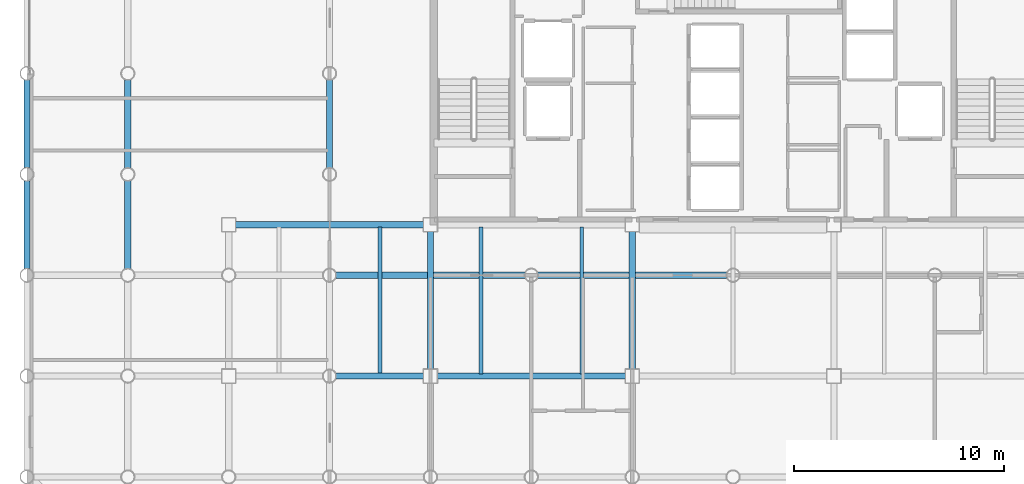
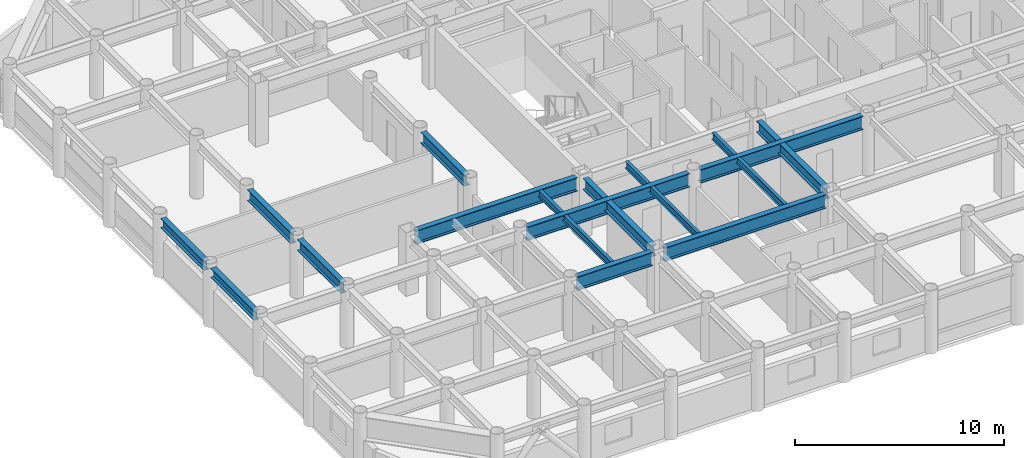
# One storey, part 3 of 20: 15 beams.
"""IFC4 building model written with IfcOpenShell, lengths in metres."""

from ifc_helpers import new_model, si_unit, direction, frame, origin, origin_2d, place, context, subcontext, project, spatial, i_section, extrude, material, material_profile, profile_set, type_object, element, save


model = new_model("IFC4")

# Units and contexts
model_context = context("Model", 3, precision=1e-05, world=origin(), true_north=direction((0.0, 1.0)))
body_context = subcontext(model_context, "Body", "Model", "MODEL_VIEW")
ifc_project = project(units=[si_unit("LENGTHUNIT", "METRE"), si_unit("AREAUNIT", "SQUARE_METRE"), si_unit("VOLUMEUNIT", "CUBIC_METRE"), si_unit("PLANEANGLEUNIT", "RADIAN"), si_unit("MASSUNIT", "GRAM", prefix="KILO")], contexts=[model_context])

# Site, building, storey
site_placement = place(None, origin())
site = spatial("IfcSite", under=ifc_project, at=site_placement, CompositionType="ELEMENT")
building_placement = place(site_placement, origin())
building = spatial("IfcBuilding", under=site, at=building_placement, Name="Kallvorn Hotel Tower", CompositionType="ELEMENT")
storey_placement = place(building_placement, frame((0.0, 0.0, 176.60009765625)))
storey = spatial("IfcBuildingStorey", under=building, at=storey_placement, Name="L44", CompositionType="ELEMENT", Elevation=176.60009765625)

# Beams
ifc_material_1 = material(Name="Structural steel S355JR", Category="steel")
ifc_material_profile_1 = material_profile(ifc_material_1, i_section(OverallWidth=0.300048828125, OverallDepth=0.550048828125, WebThickness=0.014892578125, FlangeThickness=0.029052734375, at=origin_2d()), Name="HE 550 B")
ifc_profile_set_1 = profile_set([ifc_material_profile_1], Name="Structural steel S355JR")
beam_type_1 = type_object("IfcBeamType", Name="BM_HE550B", PredefinedType="SPANDREL", material=ifc_profile_set_1)
for number, where, z_axis, x_axis, name in (
    (1, (-33.60009765625, -9.280029296875, 3.204833984375), (0.0, 1.0, 0.0), (-1.0, 0.0, 0.0), "L45 Perimeter Spandrel 176"),
    (2, (-33.60009765625, -4.47998046875, 3.204833984375), (0.0, 1.0, 0.0), (-1.0, 0.0, 0.0), "L45 Perimeter Spandrel 177"),
):
    element("IfcBeam", number, at=place(storey_placement, frame(where, z_axis=z_axis, x_axis=x_axis)), inside=storey, type_object=beam_type_1, Name=name, PredefinedType="SPANDREL", context=body_context, shape_type="SweptSolid", body=[
        extrude(i_section(OverallWidth=0.300048828125, OverallDepth=0.550048828125, WebThickness=0.014892578125, FlangeThickness=0.029052734375, at=origin_2d()), origin(), (0.0, 0.0, 1.0), 4.159912109375),
    ])
ifc_material_2 = material(Name="Structural steel S355JR", Category="steel")
ifc_material_profile_2 = material_profile(ifc_material_2, i_section(OverallWidth=0.300048828125, OverallDepth=0.64990234375, WebThickness=0.01611328125, FlangeThickness=0.031005859375, at=origin_2d()), Name="HE 650 B")
ifc_profile_set_2 = profile_set([ifc_material_profile_2], Name="Structural steel S355JR")
beam_type_2 = type_object("IfcBeamType", Name="BM_HE650B", PredefinedType="BEAM", material=ifc_profile_set_2)
beam_1_placement = place(storey_placement, frame((-28.800048828125, -9.294921875, 3.15478515625), z_axis=(0.0, 1.0, 0.0), x_axis=(-1.0, 0.0, 0.0)))
element("IfcBeam", 3, at=beam_1_placement, inside=storey, type_object=beam_type_2, Name="L45 Primary Y-Girder 76", PredefinedType="BEAM", context=body_context, shape_type="SweptSolid", body=[
    extrude(i_section(OverallWidth=0.300048828125, OverallDepth=0.64990234375, WebThickness=0.01611328125, FlangeThickness=0.031005859375, at=origin_2d()), origin(), (0.0, 0.0, 1.0), 4.18994140625),
])
for number, where, z_axis, x_axis, name in (
    (4, (-28.800048828125, -4.4951171875, 3.15478515625), (0.0, 1.0, 0.0), (-1.0, 0.0, 0.0), "L45 Primary Y-Girder 77"),
    (5, (-19.199951171875, -4.4951171875, 3.15478515625), (0.0, 1.0, 0.0), (-1.0, 0.0, 0.0), "L45 Primary Y-Girder 93"),
):
    element("IfcBeam", number, at=place(storey_placement, frame(where, z_axis=z_axis, x_axis=x_axis)), inside=storey, type_object=beam_type_2, Name=name, PredefinedType="BEAM", context=body_context, shape_type="SweptSolid", body=[
        extrude(i_section(OverallWidth=0.300048828125, OverallDepth=0.64990234375, WebThickness=0.01611328125, FlangeThickness=0.031005859375, at=origin_2d()), origin(), (0.0, 0.0, 1.0), 4.190185546875),
    ])
for number, where, z_axis, x_axis, name in (
    (6, (-14.39990234375, -14.074951171875, 3.15478515625), (0.0, 1.0, 0.0), (-1.0, 0.0, 0.0), "L45 Primary Y-Girder 100"),
    (7, (-4.800048828125, -14.074951171875, 3.15478515625), (0.0, 1.0, 0.0), (-1.0, 0.0, 0.0), "L45 Primary Y-Girder 108"),
):
    element("IfcBeam", number, at=place(storey_placement, frame(where, z_axis=z_axis, x_axis=x_axis)), inside=storey, type_object=beam_type_2, Name=name, PredefinedType="BEAM", context=body_context, shape_type="SweptSolid", body=[
        extrude(i_section(OverallWidth=0.300048828125, OverallDepth=0.64990234375, WebThickness=0.01611328125, FlangeThickness=0.031005859375, at=origin_2d()), origin(), (0.0, 0.0, 1.0), 6.550048828125),
    ])
ifc_material_3 = material(Name="Structural steel S355JR", Category="steel")
ifc_material_profile_3 = material_profile(ifc_material_3, i_section(OverallWidth=0.300048828125, OverallDepth=0.800048828125, WebThickness=0.017578125, FlangeThickness=0.032958984375, at=origin_2d()), Name="HE 800 B")
ifc_profile_set_3 = profile_set([ifc_material_profile_3], Name="Structural steel S355JR")
beam_type_3 = type_object("IfcBeamType", Name="BM_HE800B", PredefinedType="BEAM", material=ifc_profile_set_3)
beam_2_placement = place(storey_placement, frame((-18.89501953125, -14.39990234375, 3.079833984375), z_axis=(1.0, 0.0, 0.0), x_axis=(0.0, 1.0, 0.0)))
element("IfcBeam", 8, at=beam_2_placement, inside=storey, type_object=beam_type_3, Name="L45 Primary X-Girder 17", PredefinedType="BEAM", context=body_context, shape_type="SweptSolid", body=[
    extrude(i_section(OverallWidth=0.300048828125, OverallDepth=0.800048828125, WebThickness=0.017578125, FlangeThickness=0.032958984375, at=origin_2d()), origin(), (0.0, 0.0, 1.0), 4.169921875),
])
beam_3_placement = place(storey_placement, frame((-14.074951171875, -14.39990234375, 3.079833984375), z_axis=(1.0, 0.0, 0.0), x_axis=(0.0, 1.0, 0.0)))
element("IfcBeam", 9, at=beam_3_placement, inside=storey, type_object=beam_type_3, Name="L45 Primary X-Girder 18", PredefinedType="BEAM", context=body_context, shape_type="SweptSolid", body=[
    extrude(i_section(OverallWidth=0.300048828125, OverallDepth=0.800048828125, WebThickness=0.017578125, FlangeThickness=0.032958984375, at=origin_2d()), origin(), (0.0, 0.0, 1.0), 8.949951171875),
])
for number, where, z_axis, x_axis, name in (
    (10, (-18.89501953125, -9.60009765625, 3.079833984375), (1.0, 0.0, 0.0), (0.0, 1.0, 0.0), "L45 Primary X-Girder 27"),
    (11, (-9.294921875, -9.60009765625, 3.079833984375), (1.0, 0.0, 0.0), (0.0, 1.0, 0.0), "L45 Primary X-Girder 28"),
):
    element("IfcBeam", number, at=place(storey_placement, frame(where, z_axis=z_axis, x_axis=x_axis)), inside=storey, type_object=beam_type_3, Name=name, PredefinedType="BEAM", context=body_context, shape_type="SweptSolid", body=[
        extrude(i_section(OverallWidth=0.300048828125, OverallDepth=0.800048828125, WebThickness=0.017578125, FlangeThickness=0.032958984375, at=origin_2d()), origin(), (0.0, 0.0, 1.0), 8.989990234375),
    ])
beam_4_placement = place(storey_placement, frame((-23.675048828125, -7.199951171875, 3.079833984375), z_axis=(1.0, 0.0, 0.0), x_axis=(0.0, 1.0, 0.0)))
element("IfcBeam", 12, at=beam_4_placement, inside=storey, type_object=beam_type_3, Name="L45 Primary X-Girder 33", PredefinedType="BEAM", context=body_context, shape_type="SweptSolid", body=[
    extrude(i_section(OverallWidth=0.300048828125, OverallDepth=0.800048828125, WebThickness=0.017578125, FlangeThickness=0.032958984375, at=origin_2d()), origin(), (0.0, 0.0, 1.0), 8.949951171875),
])
ifc_material_4 = material(Name="Structural steel S355JR", Category="steel")
ifc_material_profile_4 = material_profile(ifc_material_4, i_section(OverallWidth=0.179931640625, OverallDepth=0.39990234375, WebThickness=0.008544921875, FlangeThickness=0.013427734375, at=origin_2d()), Name="IPE 400")
ifc_profile_set_4 = profile_set([ifc_material_profile_4], Name="Structural steel S355JR")
beam_type_4 = type_object("IfcBeamType", Name="BM_IPE400", PredefinedType="JOIST", material=ifc_profile_set_4)
for number, where, z_axis, x_axis, name in (
    (13, (-16.800048828125, -14.300048828125, 3.27978515625), (0.0, 1.0, 0.0), (-1.0, 0.0, 0.0), "L45 Secondary Composite Joist 194"),
    (14, (-12.0, -14.300048828125, 3.27978515625), (0.0, 1.0, 0.0), (-1.0, 0.0, 0.0), "L45 Secondary Composite Joist 196"),
    (15, (-7.199951171875, -14.300048828125, 3.27978515625), (0.0, 1.0, 0.0), (-1.0, 0.0, 0.0), "L45 Secondary Composite Joist 198"),
):
    element("IfcBeam", number, at=place(storey_placement, frame(where, z_axis=z_axis, x_axis=x_axis)), inside=storey, type_object=beam_type_4, Name=name, PredefinedType="JOIST", context=body_context, shape_type="SweptSolid", body=[
        extrude(i_section(OverallWidth=0.179931640625, OverallDepth=0.39990234375, WebThickness=0.008544921875, FlangeThickness=0.013427734375, at=origin_2d()), origin(), (0.0, 0.0, 1.0), 7.0),
    ])

save(model, "model.ifc")
